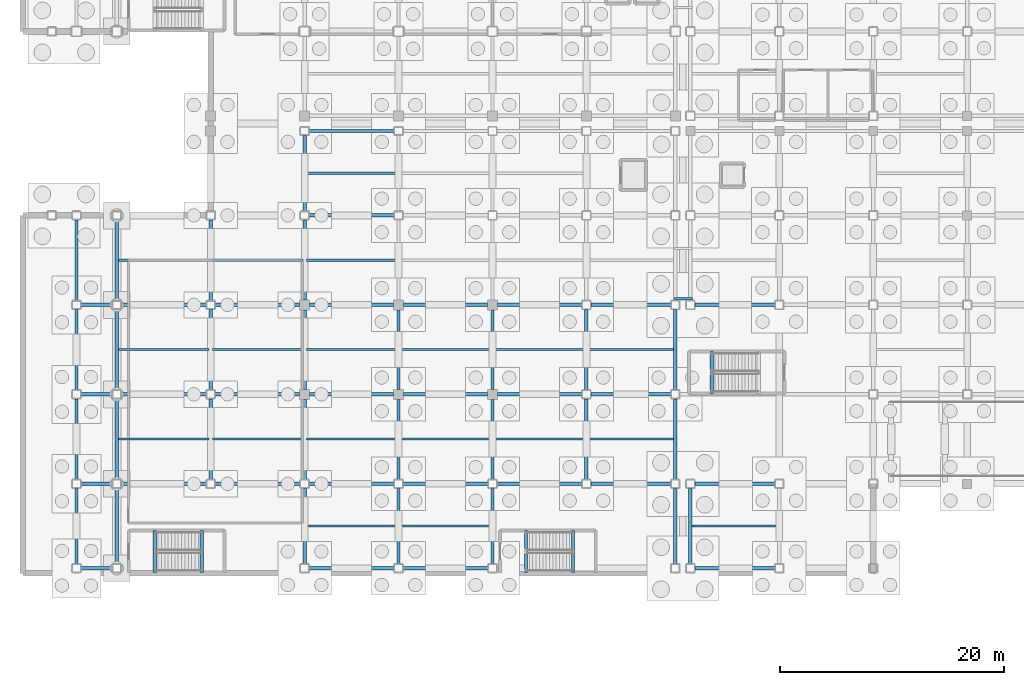
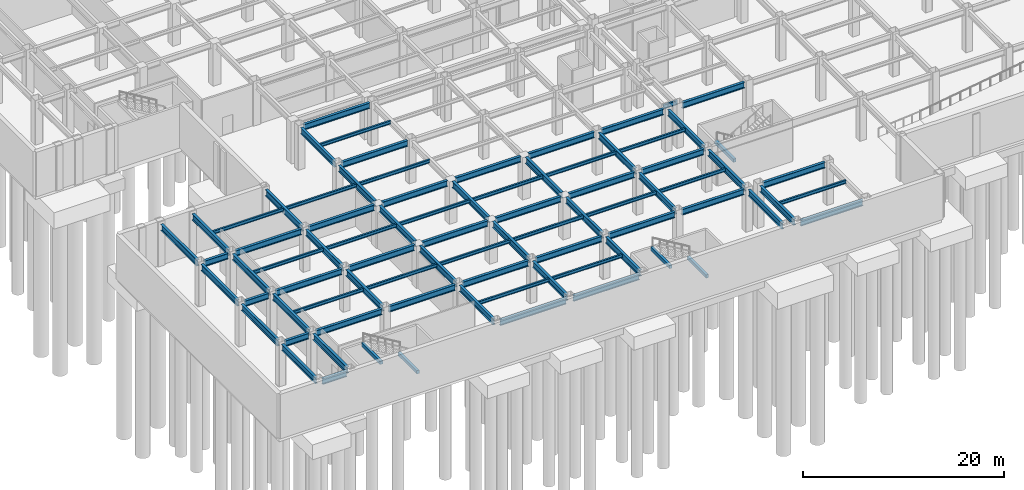
# One storey, part 21 of 55: 82 beams.
"""IFC4 building model written with IfcOpenShell, lengths in metres."""

import ifcopenshell
import ifcopenshell.guid

model = None  # the IFC model being written
_history = None  # IfcOwnerHistory: only IFC2X3 demands one
_inside = {}  # id of a spatial element -> (the spatial element, [elements in it])
_under = {}  # id of a project, library or spatial element -> (it, [spatial elements below it])
_declared = {}  # id of a project -> (the project, [libraries it declares])
_typed = {}  # id of a type object -> (the type object, [elements of that type])
_made_of = {}  # id of a material, layer set ... -> (it, [elements and type objects made of it])


def new_model(schema):
    """Start an empty IFC model of exactly this schema.

    Asked for "IFC4X3", IfcOpenShell would pick the latest addendum, in which some entities
    have other attributes; the version numbers below select the first issue.
    IFC2X3 requires an IfcOwnerHistory on every rooted entity: one is made here for all.
    """
    global model, _history
    if schema == "IFC4X3":
        model = ifcopenshell.file(schema_version=(4, 3, 0, 0))
    else:
        model = ifcopenshell.file(schema=schema)
    _inside.clear()
    _under.clear()
    _declared.clear()
    _typed.clear()
    _made_of.clear()
    _history = None
    if model.schema == "IFC2X3":
        org = make("IfcOrganization", Name="unknown")
        user = make(
            "IfcPersonAndOrganization",
            ThePerson=make("IfcPerson", FamilyName="unknown"),
            TheOrganization=org,
        )
        app = make(
            "IfcApplication",
            ApplicationDeveloper=org,
            Version="unknown",
            ApplicationFullName="unknown",
            ApplicationIdentifier="unknown",
        )
        _history = make(
            "IfcOwnerHistory",
            OwningUser=user,
            OwningApplication=app,
            ChangeAction="ADDED",
            CreationDate=0,
        )
    return model


def make(cls, **values):
    """One entity of the class cls with the attributes given. An attribute that is None is left unset."""
    return model.create_entity(
        cls, **{name: value for name, value in values.items() if value is not None}
    )


def rooted(cls, **values):
    """An entity with a GlobalId (a new one), such as an element, a storey or a relation."""
    return make(cls, GlobalId=ifcopenshell.guid.new(), OwnerHistory=_history, **values)


def si_unit(unit_type, name, prefix=None):
    """IfcSIUnit, for example si_unit("LENGTHUNIT", "METRE", prefix="MILLI")."""
    return make("IfcSIUnit", UnitType=unit_type, Prefix=prefix, Name=name)


def assignment(units):
    """IfcUnitAssignment: the units of a project."""
    return None if units is None else make("IfcUnitAssignment", Units=units)


def point(xyz):
    """IfcCartesianPoint."""
    return None if xyz is None else make("IfcCartesianPoint", Coordinates=xyz)


def direction(xyz):
    """IfcDirection."""
    return None if xyz is None else make("IfcDirection", DirectionRatios=xyz)


def frame(location, z_axis=None, x_axis=None):
    """IfcAxis2Placement3D, a coordinate frame: its origin and axes. An axis left out is left unset."""
    return make(
        "IfcAxis2Placement3D",
        Location=point(location),
        Axis=direction(z_axis),
        RefDirection=direction(x_axis),
    )


def frame_2d(location, x_axis=None):
    """IfcAxis2Placement2D, a coordinate frame in the plane: its origin and x axis."""
    return make(
        "IfcAxis2Placement2D", Location=point(location), RefDirection=direction(x_axis)
    )


def origin():
    """The frame at (0, 0, 0) with its axes left unset."""
    return frame((0.0, 0.0, 0.0))


def origin_2d():
    """The frame at (0, 0) in the plane with its x axis left unset."""
    return frame_2d((0.0, 0.0))


def place(relative_to, where):
    """IfcLocalPlacement: puts the frame where relative to a parent placement (None: the world)."""
    return make(
        "IfcLocalPlacement", PlacementRelTo=relative_to, RelativePlacement=where
    )


def context(
    kind, dimensions, precision=None, world=None, true_north=None, identifier=None
):
    """IfcGeometricRepresentationContext, for example the 3D "Model" context."""
    return make(
        "IfcGeometricRepresentationContext",
        ContextIdentifier=identifier,
        ContextType=kind,
        CoordinateSpaceDimension=dimensions,
        Precision=precision,
        WorldCoordinateSystem=world,
        TrueNorth=true_north,
    )


def subcontext(parent, identifier, kind, view, scale=None):
    """IfcGeometricRepresentationSubContext, for example "Body" below "Model"."""
    return make(
        "IfcGeometricRepresentationSubContext",
        ContextIdentifier=identifier,
        ContextType=kind,
        ParentContext=parent,
        TargetScale=scale,
        TargetView=view,
    )


def project(units=None, contexts=None):
    """IfcProject with its units and contexts."""
    return rooted(
        "IfcProject",
        Name="project",
        RepresentationContexts=contexts,
        UnitsInContext=assignment(units),
    )


def spatial(cls, under=None, at=None, **own):
    """A site, building, storey or space (cls), placed at a placement, below another one or the project."""
    s = rooted(cls, ObjectPlacement=at, **own)
    if under is not None:
        _under.setdefault(under.id(), (under, []))[1].append(s)
    return s


def profile(cls, at=None, kind="AREA", **sizes):
    """A parametric profile (cls). Its sizes go by their IFC names, for example OverallWidth=200.0."""
    return make(cls, ProfileType=kind, Position=at, **sizes)


def rectangle(**sizes):
    """IfcRectangleProfileDef."""
    return profile("IfcRectangleProfileDef", **sizes)


def i_section(**sizes):
    """IfcIShapeProfileDef."""
    return profile("IfcIShapeProfileDef", **sizes)


def extrude(swept, where, along, depth):
    """IfcExtrudedAreaSolid: the profile swept, set in the frame where, extruded along a direction by depth."""
    return make(
        "IfcExtrudedAreaSolid",
        SweptArea=swept,
        Position=where,
        ExtrudedDirection=direction(along),
        Depth=depth,
    )


def shape(context_of_items, identifier, shape_type, items):
    """IfcShapeRepresentation: the items that make up one representation, for example the "Body"."""
    return make(
        "IfcShapeRepresentation",
        ContextOfItems=context_of_items,
        RepresentationIdentifier=identifier,
        RepresentationType=shape_type,
        Items=items,
    )


def material(Name=None, Category=None):
    """IfcMaterial."""
    return make("IfcMaterial", Name=Name, Category=Category)


def material_profile(
    of_material, cross_section, Name=None, Category=None, Priority=None
):
    """IfcMaterialProfile: a cross section and its material."""
    return make(
        "IfcMaterialProfile",
        Name=Name,
        Material=of_material,
        Profile=cross_section,
        Priority=Priority,
        Category=Category,
    )


def profile_set(profiles, Name=None, composite=None):
    """IfcMaterialProfileSet."""
    return make(
        "IfcMaterialProfileSet",
        Name=Name,
        MaterialProfiles=profiles,
        CompositeProfile=composite,
    )


def made_of(thing, what):
    """Note that an element or type object is made of a material, layer set ...; save() writes the relation."""
    if what is not None:
        _made_of.setdefault(what.id(), (what, []))[1].append(thing)
    return thing


def type_object(cls, material=None, **own):
    """A type object (cls), such as IfcWallType, which elements share."""
    return made_of(rooted(cls, **own), material)


def element(
    cls,
    number,
    at=None,
    inside=None,
    cuts=None,
    type_object=None,
    material=None,
    context=None,
    identifier="Body",
    shape_type=None,
    held_by="IfcProductDefinitionShape",
    body=None,
    shapes=None,
    **own,
):
    """One element of the class cls, such as IfcWall. Its Tag is "e" and its number.

    at: its placement. inside: the storey or other place that contains it. cuts: it is an
    opening in that element (IfcRelVoidsElement). A single representation is given by context,
    identifier, shape_type and body (its items); several are given by shapes. held_by: the class
    of the entity that holds the representations. save() writes the other relations.
    """
    e = rooted(cls, Tag="e%d" % number, ObjectPlacement=at, **own)
    if body is not None:
        shapes = [shape(context, identifier, shape_type, body)]
    if shapes is not None:
        e.Representation = make(held_by, Representations=shapes)
    if inside is not None:
        _inside.setdefault(inside.id(), (inside, []))[1].append(e)
    if cuts is not None:
        rooted(
            "IfcRelVoidsElement", RelatingBuildingElement=cuts, RelatedOpeningElement=e
        )
    if type_object is not None:
        _typed.setdefault(type_object.id(), (type_object, []))[1].append(e)
    return made_of(e, material)


def aggregate(whole, parts):
    """IfcRelAggregates: a whole, such as a stair, and the parts it consists of."""
    return rooted("IfcRelAggregates", RelatingObject=whole, RelatedObjects=parts)


def save(model, path):
    """Write the relations noted so far, then the file.

    IfcRelAggregates (storeys below a building ...), IfcRelContainedInSpatialStructure (elements
    in a storey), IfcRelDefinesByType, IfcRelAssociatesMaterial and IfcRelDeclares: one each for
    every whole, place, type object, material and project.
    """
    for whole, parts in _under.values():
        aggregate(whole, parts)
    for where, things in _inside.values():
        rooted(
            "IfcRelContainedInSpatialStructure",
            RelatedElements=things,
            RelatingStructure=where,
        )
    for kind, things in _typed.values():
        rooted("IfcRelDefinesByType", RelatedObjects=things, RelatingType=kind)
    for what, things in _made_of.values():
        rooted("IfcRelAssociatesMaterial", RelatedObjects=things, RelatingMaterial=what)
    for by, libraries in _declared.values():
        rooted("IfcRelDeclares", RelatingContext=by, RelatedDefinitions=libraries)
    model.write(path)


model = new_model("IFC4")

# Units and contexts
model_context = context("Model", 3, precision=1e-05, world=origin(), true_north=direction((0.0, 1.0)))
body_context = subcontext(model_context, "Body", "Model", "MODEL_VIEW")
ifc_project = project(units=[si_unit("LENGTHUNIT", "METRE"), si_unit("AREAUNIT", "SQUARE_METRE"), si_unit("VOLUMEUNIT", "CUBIC_METRE"), si_unit("PLANEANGLEUNIT", "RADIAN"), si_unit("MASSUNIT", "GRAM", prefix="KILO")], contexts=[model_context])

# Site, building, storey
site_placement = place(None, origin())
site = spatial("IfcSite", under=ifc_project, at=site_placement, CompositionType="ELEMENT")
building_placement = place(site_placement, origin())
building = spatial("IfcBuilding", under=site, at=building_placement, Name="Kazehara Bluff Congress Hotel", CompositionType="ELEMENT")
storey_placement = place(building_placement, frame((0.0, 0.0, -5.39990234375)))
storey = spatial("IfcBuildingStorey", under=building, at=storey_placement, Name="B1", CompositionType="ELEMENT", Elevation=-5.39990234375)

# Beams
ifc_material_1 = material(Name="Steel SN490B", Category="steel")
ifc_material_profile_1 = material_profile(ifc_material_1, i_section(OverallWidth=0.199951171875, OverallDepth=0.5, WebThickness=0.010009765625, FlangeThickness=0.01611328125, FilletRadius=0.012939453125, at=origin_2d()))
ifc_profile_set_1 = profile_set([ifc_material_profile_1], Name="Steel SN490B")
beam_type_1 = type_object("IfcBeamType", Name="TP-G-01", PredefinedType="BEAM", material=ifc_profile_set_1)
beam_1_placement = place(storey_placement, frame((58.260009765625, 24.550048828125, 4.869873046875), z_axis=(1.0, 0.0, 0.0), x_axis=(0.0, 1.0, 0.0)))
element("IfcBeam", 1, at=beam_1_placement, inside=storey, type_object=beam_type_1, Name="Bridge link beam BRG-24 L00-1", PredefinedType="BEAM", context=body_context, shape_type="SweptSolid", body=[
    extrude(i_section(OverallWidth=0.199951171875, OverallDepth=0.5, WebThickness=0.010009765625, FlangeThickness=0.01611328125, FilletRadius=0.012939453125, at=origin_2d()), origin(), (0.0, 0.0, 1.0), 1.6298828125),
])
ifc_material_2 = material(Name="Steel SN490B", Category="steel")
ifc_material_profile_2 = material_profile(ifc_material_2, i_section(OverallWidth=0.300048828125, OverallDepth=0.699951171875, WebThickness=0.012939453125, FlangeThickness=0.02392578125, FilletRadius=0.01806640625, at=origin_2d()))
ifc_profile_set_2 = profile_set([ifc_material_profile_2], Name="Steel SN490B")
beam_type_2 = type_object("IfcBeamType", Name="TP-G-04", PredefinedType="BEAM", material=ifc_profile_set_2)
beam_2_placement = place(storey_placement, frame((5.199951171875, 0.449951171875, 4.77001953125), z_axis=(1.0, 0.0, 0.0), x_axis=(0.0, 1.0, 0.0)))
element("IfcBeam", 2, at=beam_2_placement, inside=storey, type_object=beam_type_2, Name="B1 girder G-04 274", PredefinedType="BEAM", context=body_context, shape_type="SweptSolid", body=[
    extrude(i_section(OverallWidth=0.300048828125, OverallDepth=0.699951171875, WebThickness=0.012939453125, FlangeThickness=0.02392578125, FilletRadius=0.01806640625, at=origin_2d()), origin(), (0.0, 0.0, 1.0), 2.800048828125),
])
beam_3_placement = place(storey_placement, frame((25.60009765625, 0.449951171875, 4.77001953125), z_axis=(1.0, 0.0, 0.0), x_axis=(0.0, 1.0, 0.0)))
element("IfcBeam", 3, at=beam_3_placement, inside=storey, type_object=beam_type_2, Name="B1 girder G-04 275", PredefinedType="BEAM", context=body_context, shape_type="SweptSolid", body=[
    extrude(i_section(OverallWidth=0.300048828125, OverallDepth=0.699951171875, WebThickness=0.012939453125, FlangeThickness=0.02392578125, FilletRadius=0.01806640625, at=origin_2d()), origin(), (0.0, 0.0, 1.0), 7.599853515625),
])
beam_4_placement = place(storey_placement, frame((34.0, 0.449951171875, 4.77001953125), z_axis=(1.0, 0.0, 0.0), x_axis=(0.0, 1.0, 0.0)))
element("IfcBeam", 4, at=beam_4_placement, inside=storey, type_object=beam_type_2, Name="B1 girder G-04 276", PredefinedType="BEAM", context=body_context, shape_type="SweptSolid", body=[
    extrude(i_section(OverallWidth=0.300048828125, OverallDepth=0.699951171875, WebThickness=0.012939453125, FlangeThickness=0.02392578125, FilletRadius=0.01806640625, at=origin_2d()), origin(), (0.0, 0.0, 1.0), 7.60009765625),
])
beam_5_placement = place(storey_placement, frame((60.10009765625, 0.449951171875, 4.77001953125), z_axis=(1.0, 0.0, 0.0), x_axis=(0.0, 1.0, 0.0)))
element("IfcBeam", 5, at=beam_5_placement, inside=storey, type_object=beam_type_2, Name="B1 girder G-04 277", PredefinedType="BEAM", context=body_context, shape_type="SweptSolid", body=[
    extrude(i_section(OverallWidth=0.300048828125, OverallDepth=0.699951171875, WebThickness=0.012939453125, FlangeThickness=0.02392578125, FilletRadius=0.01806640625, at=origin_2d()), origin(), (0.0, 0.0, 1.0), 7.14990234375),
])
beam_6_placement = place(storey_placement, frame((5.199951171875, 8.0, 4.77001953125), z_axis=(1.0, 0.0, 0.0), x_axis=(0.0, 1.0, 0.0)))
element("IfcBeam", 6, at=beam_6_placement, inside=storey, type_object=beam_type_2, Name="B1 girder G-04 280", PredefinedType="BEAM", context=body_context, shape_type="SweptSolid", body=[
    extrude(i_section(OverallWidth=0.300048828125, OverallDepth=0.699951171875, WebThickness=0.012939453125, FlangeThickness=0.02392578125, FilletRadius=0.01806640625, at=origin_2d()), origin(), (0.0, 0.0, 1.0), 2.800048828125),
])
beam_7_placement = place(storey_placement, frame((8.800048828125, 8.0, 4.77001953125), z_axis=(1.0, 0.0, 0.0), x_axis=(0.0, 1.0, 0.0)))
element("IfcBeam", 7, at=beam_7_placement, inside=storey, type_object=beam_type_2, Name="B1 girder G-04 281", PredefinedType="BEAM", context=body_context, shape_type="SweptSolid", body=[
    extrude(i_section(OverallWidth=0.300048828125, OverallDepth=0.699951171875, WebThickness=0.012939453125, FlangeThickness=0.02392578125, FilletRadius=0.01806640625, at=origin_2d()), origin(), (0.0, 0.0, 1.0), 7.599853515625),
])
beam_8_placement = place(storey_placement, frame((17.199951171875, 8.0, 4.77001953125), z_axis=(1.0, 0.0, 0.0), x_axis=(0.0, 1.0, 0.0)))
element("IfcBeam", 8, at=beam_8_placement, inside=storey, type_object=beam_type_2, Name="B1 girder G-04 282", PredefinedType="BEAM", context=body_context, shape_type="SweptSolid", body=[
    extrude(i_section(OverallWidth=0.300048828125, OverallDepth=0.699951171875, WebThickness=0.012939453125, FlangeThickness=0.02392578125, FilletRadius=0.01806640625, at=origin_2d()), origin(), (0.0, 0.0, 1.0), 7.60009765625),
])
beam_9_placement = place(storey_placement, frame((25.60009765625, 8.0, 4.77001953125), z_axis=(1.0, 0.0, 0.0), x_axis=(0.0, 1.0, 0.0)))
element("IfcBeam", 9, at=beam_9_placement, inside=storey, type_object=beam_type_2, Name="B1 girder G-04 283", PredefinedType="BEAM", context=body_context, shape_type="SweptSolid", body=[
    extrude(i_section(OverallWidth=0.300048828125, OverallDepth=0.699951171875, WebThickness=0.012939453125, FlangeThickness=0.02392578125, FilletRadius=0.01806640625, at=origin_2d()), origin(), (0.0, 0.0, 1.0), 7.599853515625),
])
for number, where, z_axis, x_axis, name in (
    (10, (34.0, 8.0, 4.77001953125), (1.0, 0.0, 0.0), (0.0, 1.0, 0.0), "B1 girder G-04 284"),
    (11, (42.39990234375, 8.0, 4.77001953125), (1.0, 0.0, 0.0), (0.0, 1.0, 0.0), "B1 girder G-04 285"),
):
    element("IfcBeam", number, at=place(storey_placement, frame(where, z_axis=z_axis, x_axis=x_axis)), inside=storey, type_object=beam_type_2, Name=name, PredefinedType="BEAM", context=body_context, shape_type="SweptSolid", body=[
        extrude(i_section(OverallWidth=0.300048828125, OverallDepth=0.699951171875, WebThickness=0.012939453125, FlangeThickness=0.02392578125, FilletRadius=0.01806640625, at=origin_2d()), origin(), (0.0, 0.0, 1.0), 7.60009765625),
    ])
for number, where, z_axis, x_axis, name in (
    (12, (50.800048828125, 8.0, 4.77001953125), (1.0, 0.0, 0.0), (0.0, 1.0, 0.0), "B1 girder G-04 286"),
    (13, (60.10009765625, 8.0, 4.77001953125), (1.0, 0.0, 0.0), (0.0, 1.0, 0.0), "B1 girder G-04 287"),
):
    element("IfcBeam", number, at=place(storey_placement, frame(where, z_axis=z_axis, x_axis=x_axis)), inside=storey, type_object=beam_type_2, Name=name, PredefinedType="BEAM", context=body_context, shape_type="SweptSolid", body=[
        extrude(i_section(OverallWidth=0.300048828125, OverallDepth=0.699951171875, WebThickness=0.012939453125, FlangeThickness=0.02392578125, FilletRadius=0.01806640625, at=origin_2d()), origin(), (0.0, 0.0, 1.0), 7.14990234375),
    ])
beam_10_placement = place(storey_placement, frame((5.199951171875, 16.0, 4.77001953125), z_axis=(1.0, 0.0, 0.0), x_axis=(0.0, 1.0, 0.0)))
element("IfcBeam", 14, at=beam_10_placement, inside=storey, type_object=beam_type_2, Name="B1 girder G-04 290", PredefinedType="BEAM", context=body_context, shape_type="SweptSolid", body=[
    extrude(i_section(OverallWidth=0.300048828125, OverallDepth=0.699951171875, WebThickness=0.012939453125, FlangeThickness=0.02392578125, FilletRadius=0.01806640625, at=origin_2d()), origin(), (0.0, 0.0, 1.0), 2.800048828125),
])
beam_11_placement = place(storey_placement, frame((8.800048828125, 16.0, 4.77001953125), z_axis=(1.0, 0.0, 0.0), x_axis=(0.0, 1.0, 0.0)))
element("IfcBeam", 15, at=beam_11_placement, inside=storey, type_object=beam_type_2, Name="B1 girder G-04 291", PredefinedType="BEAM", context=body_context, shape_type="SweptSolid", body=[
    extrude(i_section(OverallWidth=0.300048828125, OverallDepth=0.699951171875, WebThickness=0.012939453125, FlangeThickness=0.02392578125, FilletRadius=0.01806640625, at=origin_2d()), origin(), (0.0, 0.0, 1.0), 7.599853515625),
])
beam_12_placement = place(storey_placement, frame((17.199951171875, 16.0, 4.77001953125), z_axis=(1.0, 0.0, 0.0), x_axis=(0.0, 1.0, 0.0)))
element("IfcBeam", 16, at=beam_12_placement, inside=storey, type_object=beam_type_2, Name="B1 girder G-04 292", PredefinedType="BEAM", context=body_context, shape_type="SweptSolid", body=[
    extrude(i_section(OverallWidth=0.300048828125, OverallDepth=0.699951171875, WebThickness=0.012939453125, FlangeThickness=0.02392578125, FilletRadius=0.01806640625, at=origin_2d()), origin(), (0.0, 0.0, 1.0), 7.550048828125),
])
for number, where, z_axis, x_axis, name in (
    (17, (25.64990234375, 16.0, 4.77001953125), (1.0, 0.0, 0.0), (0.0, 1.0, 0.0), "B1 girder G-04 293"),
    (18, (34.050048828125, 16.0, 4.77001953125), (1.0, 0.0, 0.0), (0.0, 1.0, 0.0), "B1 girder G-04 294"),
):
    element("IfcBeam", number, at=place(storey_placement, frame(where, z_axis=z_axis, x_axis=x_axis)), inside=storey, type_object=beam_type_2, Name=name, PredefinedType="BEAM", context=body_context, shape_type="SweptSolid", body=[
        extrude(i_section(OverallWidth=0.300048828125, OverallDepth=0.699951171875, WebThickness=0.012939453125, FlangeThickness=0.02392578125, FilletRadius=0.01806640625, at=origin_2d()), origin(), (0.0, 0.0, 1.0), 7.5),
    ])
beam_13_placement = place(storey_placement, frame((42.449951171875, 16.0, 4.77001953125), z_axis=(1.0, 0.0, 0.0), x_axis=(0.0, 1.0, 0.0)))
element("IfcBeam", 19, at=beam_13_placement, inside=storey, type_object=beam_type_2, Name="B1 girder G-04 295", PredefinedType="BEAM", context=body_context, shape_type="SweptSolid", body=[
    extrude(i_section(OverallWidth=0.300048828125, OverallDepth=0.699951171875, WebThickness=0.012939453125, FlangeThickness=0.02392578125, FilletRadius=0.01806640625, at=origin_2d()), origin(), (0.0, 0.0, 1.0), 7.550048828125),
])
beam_14_placement = place(storey_placement, frame((50.800048828125, 16.0, 4.77001953125), z_axis=(1.0, 0.0, 0.0), x_axis=(0.0, 1.0, 0.0)))
element("IfcBeam", 20, at=beam_14_placement, inside=storey, type_object=beam_type_2, Name="B1 girder G-04 296", PredefinedType="BEAM", context=body_context, shape_type="SweptSolid", body=[
    extrude(i_section(OverallWidth=0.300048828125, OverallDepth=0.699951171875, WebThickness=0.012939453125, FlangeThickness=0.02392578125, FilletRadius=0.01806640625, at=origin_2d()), origin(), (0.0, 0.0, 1.0), 7.14990234375),
])
beam_15_placement = place(storey_placement, frame((5.199951171875, 24.0, 4.77001953125), z_axis=(1.0, 0.0, 0.0), x_axis=(0.0, 1.0, 0.0)))
element("IfcBeam", 21, at=beam_15_placement, inside=storey, type_object=beam_type_2, Name="B1 girder G-04 309", PredefinedType="BEAM", context=body_context, shape_type="SweptSolid", body=[
    extrude(i_section(OverallWidth=0.300048828125, OverallDepth=0.699951171875, WebThickness=0.012939453125, FlangeThickness=0.02392578125, FilletRadius=0.01806640625, at=origin_2d()), origin(), (0.0, 0.0, 1.0), 2.800048828125),
])
beam_16_placement = place(storey_placement, frame((8.800048828125, 24.0, 4.77001953125), z_axis=(1.0, 0.0, 0.0), x_axis=(0.0, 1.0, 0.0)))
element("IfcBeam", 22, at=beam_16_placement, inside=storey, type_object=beam_type_2, Name="B1 girder G-04 310", PredefinedType="BEAM", context=body_context, shape_type="SweptSolid", body=[
    extrude(i_section(OverallWidth=0.300048828125, OverallDepth=0.699951171875, WebThickness=0.012939453125, FlangeThickness=0.02392578125, FilletRadius=0.01806640625, at=origin_2d()), origin(), (0.0, 0.0, 1.0), 7.599853515625),
])
beam_17_placement = place(storey_placement, frame((17.199951171875, 24.0, 4.77001953125), z_axis=(1.0, 0.0, 0.0), x_axis=(0.0, 1.0, 0.0)))
element("IfcBeam", 23, at=beam_17_placement, inside=storey, type_object=beam_type_2, Name="B1 girder G-04 311", PredefinedType="BEAM", context=body_context, shape_type="SweptSolid", body=[
    extrude(i_section(OverallWidth=0.300048828125, OverallDepth=0.699951171875, WebThickness=0.012939453125, FlangeThickness=0.02392578125, FilletRadius=0.01806640625, at=origin_2d()), origin(), (0.0, 0.0, 1.0), 7.550048828125),
])
for number, where, z_axis, x_axis, name in (
    (24, (25.64990234375, 24.0, 4.77001953125), (1.0, 0.0, 0.0), (0.0, 1.0, 0.0), "B1 girder G-04 312"),
    (25, (34.050048828125, 24.0, 4.77001953125), (1.0, 0.0, 0.0), (0.0, 1.0, 0.0), "B1 girder G-04 313"),
):
    element("IfcBeam", number, at=place(storey_placement, frame(where, z_axis=z_axis, x_axis=x_axis)), inside=storey, type_object=beam_type_2, Name=name, PredefinedType="BEAM", context=body_context, shape_type="SweptSolid", body=[
        extrude(i_section(OverallWidth=0.300048828125, OverallDepth=0.699951171875, WebThickness=0.012939453125, FlangeThickness=0.02392578125, FilletRadius=0.01806640625, at=origin_2d()), origin(), (0.0, 0.0, 1.0), 7.5),
    ])
beam_18_placement = place(storey_placement, frame((42.449951171875, 24.0, 4.77001953125), z_axis=(1.0, 0.0, 0.0), x_axis=(0.0, 1.0, 0.0)))
element("IfcBeam", 26, at=beam_18_placement, inside=storey, type_object=beam_type_2, Name="B1 girder G-04 314", PredefinedType="BEAM", context=body_context, shape_type="SweptSolid", body=[
    extrude(i_section(OverallWidth=0.300048828125, OverallDepth=0.699951171875, WebThickness=0.012939453125, FlangeThickness=0.02392578125, FilletRadius=0.01806640625, at=origin_2d()), origin(), (0.0, 0.0, 1.0), 7.550048828125),
])
for number, where, z_axis, x_axis, name in (
    (27, (50.800048828125, 24.0, 4.77001953125), (1.0, 0.0, 0.0), (0.0, 1.0, 0.0), "B1 girder G-04 315"),
    (28, (60.10009765625, 24.0, 4.77001953125), (1.0, 0.0, 0.0), (0.0, 1.0, 0.0), "B1 girder G-04 316"),
):
    element("IfcBeam", number, at=place(storey_placement, frame(where, z_axis=z_axis, x_axis=x_axis)), inside=storey, type_object=beam_type_2, Name=name, PredefinedType="BEAM", context=body_context, shape_type="SweptSolid", body=[
        extrude(i_section(OverallWidth=0.300048828125, OverallDepth=0.699951171875, WebThickness=0.012939453125, FlangeThickness=0.02392578125, FilletRadius=0.01806640625, at=origin_2d()), origin(), (0.0, 0.0, 1.0), 7.14990234375),
    ])
for number, where, z_axis, x_axis, name in (
    (29, (25.60009765625, 32.0, 4.77001953125), (1.0, 0.0, 0.0), (0.0, 1.0, 0.0), "B1 girder G-04 329"),
    (30, (25.60009765625, 39.550048828125, 4.77001953125), (1.0, 0.0, 0.0), (0.0, 1.0, 0.0), "B1 girder G-04 346"),
):
    element("IfcBeam", number, at=place(storey_placement, frame(where, z_axis=z_axis, x_axis=x_axis)), inside=storey, type_object=beam_type_2, Name=name, PredefinedType="BEAM", context=body_context, shape_type="SweptSolid", body=[
        extrude(i_section(OverallWidth=0.300048828125, OverallDepth=0.699951171875, WebThickness=0.012939453125, FlangeThickness=0.02392578125, FilletRadius=0.01806640625, at=origin_2d()), origin(), (0.0, 0.0, 1.0), 7.599853515625),
    ])
ifc_material_3 = material(Name="Steel SN490B", Category="steel")
ifc_material_profile_3 = material_profile(ifc_material_3, i_section(OverallWidth=0.300048828125, OverallDepth=0.75, WebThickness=0.012939453125, FlangeThickness=0.02392578125, FilletRadius=0.01806640625, at=origin_2d()))
ifc_profile_set_3 = profile_set([ifc_material_profile_3], Name="Steel SN490B")
beam_type_3 = type_object("IfcBeamType", Name="TP-G-05", PredefinedType="BEAM", material=ifc_profile_set_3)
beam_19_placement = place(storey_placement, frame((4.800048828125, 0.85009765625, 4.744873046875), z_axis=(0.0, 1.0, 0.0), x_axis=(-1.0, 0.0, 0.0)))
element("IfcBeam", 31, at=beam_19_placement, inside=storey, type_object=beam_type_3, Name="B1 girder G-05 1", PredefinedType="BEAM", context=body_context, shape_type="SweptSolid", body=[
    extrude(i_section(OverallWidth=0.300048828125, OverallDepth=0.75, WebThickness=0.012939453125, FlangeThickness=0.02392578125, FilletRadius=0.01806640625, at=origin_2d()), origin(), (0.0, 0.0, 1.0), 6.75),
])
for number, where, z_axis, x_axis, name in (
    (32, (4.800048828125, 8.39990234375, 4.744873046875), (0.0, 1.0, 0.0), (-1.0, 0.0, 0.0), "B1 girder G-05 2"),
    (33, (4.800048828125, 16.39990234375, 4.744873046875), (0.0, 1.0, 0.0), (-1.0, 0.0, 0.0), "B1 girder G-05 3"),
    (34, (4.800048828125, 24.39990234375, 4.744873046875), (0.0, 1.0, 0.0), (-1.0, 0.0, 0.0), "B1 girder G-05 4"),
):
    element("IfcBeam", number, at=place(storey_placement, frame(where, z_axis=z_axis, x_axis=x_axis)), inside=storey, type_object=beam_type_3, Name=name, PredefinedType="BEAM", context=body_context, shape_type="SweptSolid", body=[
        extrude(i_section(OverallWidth=0.300048828125, OverallDepth=0.75, WebThickness=0.012939453125, FlangeThickness=0.02392578125, FilletRadius=0.01806640625, at=origin_2d()), origin(), (0.0, 0.0, 1.0), 7.2001953125),
    ])
beam_20_placement = place(storey_placement, frame((8.39990234375, 0.85009765625, 4.744873046875), z_axis=(0.0, 1.0, 0.0), x_axis=(-1.0, 0.0, 0.0)))
element("IfcBeam", 35, at=beam_20_placement, inside=storey, type_object=beam_type_3, Name="B1 girder G-05 14", PredefinedType="BEAM", context=body_context, shape_type="SweptSolid", body=[
    extrude(i_section(OverallWidth=0.300048828125, OverallDepth=0.75, WebThickness=0.012939453125, FlangeThickness=0.02392578125, FilletRadius=0.01806640625, at=origin_2d()), origin(), (0.0, 0.0, 1.0), 6.75),
])
for number, where, z_axis, x_axis, name in (
    (36, (8.39990234375, 8.39990234375, 4.744873046875), (0.0, 1.0, 0.0), (-1.0, 0.0, 0.0), "B1 girder G-05 15"),
    (37, (8.39990234375, 16.39990234375, 4.744873046875), (0.0, 1.0, 0.0), (-1.0, 0.0, 0.0), "B1 girder G-05 16"),
    (38, (8.39990234375, 24.39990234375, 4.744873046875), (0.0, 1.0, 0.0), (-1.0, 0.0, 0.0), "B1 girder G-05 17"),
    (39, (16.800048828125, 8.39990234375, 4.744873046875), (0.0, 1.0, 0.0), (-1.0, 0.0, 0.0), "B1 girder G-05 27"),
    (40, (16.800048828125, 16.39990234375, 4.744873046875), (0.0, 1.0, 0.0), (-1.0, 0.0, 0.0), "B1 girder G-05 28"),
    (41, (16.800048828125, 24.39990234375, 4.744873046875), (0.0, 1.0, 0.0), (-1.0, 0.0, 0.0), "B1 girder G-05 29"),
):
    element("IfcBeam", number, at=place(storey_placement, frame(where, z_axis=z_axis, x_axis=x_axis)), inside=storey, type_object=beam_type_3, Name=name, PredefinedType="BEAM", context=body_context, shape_type="SweptSolid", body=[
        extrude(i_section(OverallWidth=0.300048828125, OverallDepth=0.75, WebThickness=0.012939453125, FlangeThickness=0.02392578125, FilletRadius=0.01806640625, at=origin_2d()), origin(), (0.0, 0.0, 1.0), 7.2001953125),
    ])
beam_21_placement = place(storey_placement, frame((25.199951171875, 0.85009765625, 4.744873046875), z_axis=(0.0, 1.0, 0.0), x_axis=(-1.0, 0.0, 0.0)))
element("IfcBeam", 42, at=beam_21_placement, inside=storey, type_object=beam_type_3, Name="B1 girder G-05 35", PredefinedType="BEAM", context=body_context, shape_type="SweptSolid", body=[
    extrude(i_section(OverallWidth=0.300048828125, OverallDepth=0.75, WebThickness=0.012939453125, FlangeThickness=0.02392578125, FilletRadius=0.01806640625, at=origin_2d()), origin(), (0.0, 0.0, 1.0), 6.75),
])
beam_22_placement = place(storey_placement, frame((25.199951171875, 8.39990234375, 4.744873046875), z_axis=(0.0, 1.0, 0.0), x_axis=(-1.0, 0.0, 0.0)))
element("IfcBeam", 43, at=beam_22_placement, inside=storey, type_object=beam_type_3, Name="B1 girder G-05 36", PredefinedType="BEAM", context=body_context, shape_type="SweptSolid", body=[
    extrude(i_section(OverallWidth=0.300048828125, OverallDepth=0.75, WebThickness=0.012939453125, FlangeThickness=0.02392578125, FilletRadius=0.01806640625, at=origin_2d()), origin(), (0.0, 0.0, 1.0), 7.150146484375),
])
beam_23_placement = place(storey_placement, frame((25.199951171875, 16.449951171875, 4.744873046875), z_axis=(0.0, 1.0, 0.0), x_axis=(-1.0, 0.0, 0.0)))
element("IfcBeam", 44, at=beam_23_placement, inside=storey, type_object=beam_type_3, Name="B1 girder G-05 37", PredefinedType="BEAM", context=body_context, shape_type="SweptSolid", body=[
    extrude(i_section(OverallWidth=0.300048828125, OverallDepth=0.75, WebThickness=0.012939453125, FlangeThickness=0.02392578125, FilletRadius=0.01806640625, at=origin_2d()), origin(), (0.0, 0.0, 1.0), 7.10009765625),
])
beam_24_placement = place(storey_placement, frame((25.199951171875, 24.449951171875, 4.744873046875), z_axis=(0.0, 1.0, 0.0), x_axis=(-1.0, 0.0, 0.0)))
element("IfcBeam", 45, at=beam_24_placement, inside=storey, type_object=beam_type_3, Name="B1 girder G-05 38", PredefinedType="BEAM", context=body_context, shape_type="SweptSolid", body=[
    extrude(i_section(OverallWidth=0.300048828125, OverallDepth=0.75, WebThickness=0.012939453125, FlangeThickness=0.02392578125, FilletRadius=0.01806640625, at=origin_2d()), origin(), (0.0, 0.0, 1.0), 7.150146484375),
])
for number, where, z_axis, x_axis, name in (
    (46, (25.199951171875, 32.39990234375, 4.744873046875), (0.0, 1.0, 0.0), (-1.0, 0.0, 0.0), "B1 girder G-05 39"),
    (47, (33.60009765625, 0.85009765625, 4.744873046875), (0.0, 1.0, 0.0), (-1.0, 0.0, 0.0), "B1 girder G-05 49"),
):
    element("IfcBeam", number, at=place(storey_placement, frame(where, z_axis=z_axis, x_axis=x_axis)), inside=storey, type_object=beam_type_3, Name=name, PredefinedType="BEAM", context=body_context, shape_type="SweptSolid", body=[
        extrude(i_section(OverallWidth=0.300048828125, OverallDepth=0.75, WebThickness=0.012939453125, FlangeThickness=0.02392578125, FilletRadius=0.01806640625, at=origin_2d()), origin(), (0.0, 0.0, 1.0), 6.75),
    ])
beam_25_placement = place(storey_placement, frame((33.60009765625, 8.39990234375, 4.744873046875), z_axis=(0.0, 1.0, 0.0), x_axis=(-1.0, 0.0, 0.0)))
element("IfcBeam", 48, at=beam_25_placement, inside=storey, type_object=beam_type_3, Name="B1 girder G-05 50", PredefinedType="BEAM", context=body_context, shape_type="SweptSolid", body=[
    extrude(i_section(OverallWidth=0.300048828125, OverallDepth=0.75, WebThickness=0.012939453125, FlangeThickness=0.02392578125, FilletRadius=0.01806640625, at=origin_2d()), origin(), (0.0, 0.0, 1.0), 7.150146484375),
])
beam_26_placement = place(storey_placement, frame((33.60009765625, 16.449951171875, 4.744873046875), z_axis=(0.0, 1.0, 0.0), x_axis=(-1.0, 0.0, 0.0)))
element("IfcBeam", 49, at=beam_26_placement, inside=storey, type_object=beam_type_3, Name="B1 girder G-05 51", PredefinedType="BEAM", context=body_context, shape_type="SweptSolid", body=[
    extrude(i_section(OverallWidth=0.300048828125, OverallDepth=0.75, WebThickness=0.012939453125, FlangeThickness=0.02392578125, FilletRadius=0.01806640625, at=origin_2d()), origin(), (0.0, 0.0, 1.0), 7.10009765625),
])
beam_27_placement = place(storey_placement, frame((42.0, 0.85009765625, 4.744873046875), z_axis=(0.0, 1.0, 0.0), x_axis=(-1.0, 0.0, 0.0)))
element("IfcBeam", 50, at=beam_27_placement, inside=storey, type_object=beam_type_3, Name="B1 girder G-05 63", PredefinedType="BEAM", context=body_context, shape_type="SweptSolid", body=[
    extrude(i_section(OverallWidth=0.300048828125, OverallDepth=0.75, WebThickness=0.012939453125, FlangeThickness=0.02392578125, FilletRadius=0.01806640625, at=origin_2d()), origin(), (0.0, 0.0, 1.0), 6.75),
])
beam_28_placement = place(storey_placement, frame((42.0, 8.39990234375, 4.744873046875), z_axis=(0.0, 1.0, 0.0), x_axis=(-1.0, 0.0, 0.0)))
element("IfcBeam", 51, at=beam_28_placement, inside=storey, type_object=beam_type_3, Name="B1 girder G-05 64", PredefinedType="BEAM", context=body_context, shape_type="SweptSolid", body=[
    extrude(i_section(OverallWidth=0.300048828125, OverallDepth=0.75, WebThickness=0.012939453125, FlangeThickness=0.02392578125, FilletRadius=0.01806640625, at=origin_2d()), origin(), (0.0, 0.0, 1.0), 7.150146484375),
])
beam_29_placement = place(storey_placement, frame((42.0, 16.449951171875, 4.744873046875), z_axis=(0.0, 1.0, 0.0), x_axis=(-1.0, 0.0, 0.0)))
element("IfcBeam", 52, at=beam_29_placement, inside=storey, type_object=beam_type_3, Name="B1 girder G-05 65", PredefinedType="BEAM", context=body_context, shape_type="SweptSolid", body=[
    extrude(i_section(OverallWidth=0.300048828125, OverallDepth=0.75, WebThickness=0.012939453125, FlangeThickness=0.02392578125, FilletRadius=0.01806640625, at=origin_2d()), origin(), (0.0, 0.0, 1.0), 7.10009765625),
])
for number, where, z_axis, x_axis, name in (
    (53, (50.39990234375, 8.39990234375, 4.744873046875), (0.0, 1.0, 0.0), (-1.0, 0.0, 0.0), "B1 girder G-05 77"),
    (54, (50.39990234375, 16.39990234375, 4.744873046875), (0.0, 1.0, 0.0), (-1.0, 0.0, 0.0), "B1 girder G-05 78"),
):
    element("IfcBeam", number, at=place(storey_placement, frame(where, z_axis=z_axis, x_axis=x_axis)), inside=storey, type_object=beam_type_3, Name=name, PredefinedType="BEAM", context=body_context, shape_type="SweptSolid", body=[
        extrude(i_section(OverallWidth=0.300048828125, OverallDepth=0.75, WebThickness=0.012939453125, FlangeThickness=0.02392578125, FilletRadius=0.01806640625, at=origin_2d()), origin(), (0.0, 0.0, 1.0), 7.2001953125),
    ])
beam_30_placement = place(storey_placement, frame((58.35009765625, 0.85009765625, 4.744873046875), z_axis=(0.0, 1.0, 0.0), x_axis=(-1.0, 0.0, 0.0)))
element("IfcBeam", 55, at=beam_30_placement, inside=storey, type_object=beam_type_3, Name="B1 girder G-05 88", PredefinedType="BEAM", context=body_context, shape_type="SweptSolid", body=[
    extrude(i_section(OverallWidth=0.300048828125, OverallDepth=0.75, WebThickness=0.012939453125, FlangeThickness=0.02392578125, FilletRadius=0.01806640625, at=origin_2d()), origin(), (0.0, 0.0, 1.0), 6.75),
])
for number, where, z_axis, x_axis, name in (
    (56, (58.35009765625, 8.39990234375, 4.744873046875), (0.0, 1.0, 0.0), (-1.0, 0.0, 0.0), "B1 girder G-05 89"),
    (57, (58.35009765625, 16.39990234375, 4.744873046875), (0.0, 1.0, 0.0), (-1.0, 0.0, 0.0), "B1 girder G-05 90"),
):
    element("IfcBeam", number, at=place(storey_placement, frame(where, z_axis=z_axis, x_axis=x_axis)), inside=storey, type_object=beam_type_3, Name=name, PredefinedType="BEAM", context=body_context, shape_type="SweptSolid", body=[
        extrude(i_section(OverallWidth=0.300048828125, OverallDepth=0.75, WebThickness=0.012939453125, FlangeThickness=0.02392578125, FilletRadius=0.01806640625, at=origin_2d()), origin(), (0.0, 0.0, 1.0), 7.2001953125),
    ])
beam_31_placement = place(storey_placement, frame((59.699951171875, 0.85009765625, 4.744873046875), z_axis=(0.0, 1.0, 0.0), x_axis=(-1.0, 0.0, 0.0)))
element("IfcBeam", 58, at=beam_31_placement, inside=storey, type_object=beam_type_3, Name="B1 girder G-05 103", PredefinedType="BEAM", context=body_context, shape_type="SweptSolid", body=[
    extrude(i_section(OverallWidth=0.300048828125, OverallDepth=0.75, WebThickness=0.012939453125, FlangeThickness=0.02392578125, FilletRadius=0.01806640625, at=origin_2d()), origin(), (0.0, 0.0, 1.0), 6.75),
])
ifc_material_4 = material(Name="Steel SN400B", Category="steel")
ifc_material_profile_4 = material_profile(ifc_material_4, i_section(OverallWidth=0.199951171875, OverallDepth=0.39990234375, WebThickness=0.008056640625, FlangeThickness=0.012939453125, FilletRadius=0.012939453125, at=origin_2d()))
ifc_profile_set_4 = profile_set([ifc_material_profile_4], Name="Steel SN400B")
beam_type_4 = type_object("IfcBeamType", Name="TP-J-03", PredefinedType="JOIST", material=ifc_profile_set_4)
for number, where, z_axis, x_axis, name in (
    (59, (8.550048828125, 12.0, 4.919921875), (1.0, 0.0, 0.0), (0.0, 1.0, 0.0), "B1 secondary joist J-03 1"),
    (60, (8.550048828125, 20.0, 4.919921875), (1.0, 0.0, 0.0), (0.0, 1.0, 0.0), "B1 secondary joist J-03 2"),
    (61, (8.550048828125, 28.0, 4.919921875), (1.0, 0.0, 0.0), (0.0, 1.0, 0.0), "B1 secondary joist J-03 3"),
):
    element("IfcBeam", number, at=place(storey_placement, frame(where, z_axis=z_axis, x_axis=x_axis)), inside=storey, type_object=beam_type_4, Name=name, PredefinedType="JOIST", context=body_context, shape_type="SweptSolid", body=[
        extrude(i_section(OverallWidth=0.199951171875, OverallDepth=0.39990234375, WebThickness=0.008056640625, FlangeThickness=0.012939453125, FilletRadius=0.012939453125, at=origin_2d()), origin(), (0.0, 0.0, 1.0), 8.099853515625),
    ])
for number, where, z_axis, x_axis, name in (
    (62, (16.949951171875, 12.0, 4.919921875), (1.0, 0.0, 0.0), (0.0, 1.0, 0.0), "B1 secondary joist J-03 8"),
    (63, (16.949951171875, 20.0, 4.919921875), (1.0, 0.0, 0.0), (0.0, 1.0, 0.0), "B1 secondary joist J-03 9"),
    (64, (16.949951171875, 28.0, 4.919921875), (1.0, 0.0, 0.0), (0.0, 1.0, 0.0), "B1 secondary joist J-03 10"),
):
    element("IfcBeam", number, at=place(storey_placement, frame(where, z_axis=z_axis, x_axis=x_axis)), inside=storey, type_object=beam_type_4, Name=name, PredefinedType="JOIST", context=body_context, shape_type="SweptSolid", body=[
        extrude(i_section(OverallWidth=0.199951171875, OverallDepth=0.39990234375, WebThickness=0.008056640625, FlangeThickness=0.012939453125, FilletRadius=0.012939453125, at=origin_2d()), origin(), (0.0, 0.0, 1.0), 8.10009765625),
    ])
for number, where, z_axis, x_axis, name in (
    (65, (25.35009765625, 4.22509765625, 4.919921875), (1.0, 0.0, 0.0), (0.0, 1.0, 0.0), "B1 secondary joist J-03 15"),
    (66, (25.35009765625, 12.0, 4.919921875), (1.0, 0.0, 0.0), (0.0, 1.0, 0.0), "B1 secondary joist J-03 16"),
    (67, (25.35009765625, 20.0, 4.919921875), (1.0, 0.0, 0.0), (0.0, 1.0, 0.0), "B1 secondary joist J-03 17"),
    (68, (25.35009765625, 28.0, 4.919921875), (1.0, 0.0, 0.0), (0.0, 1.0, 0.0), "B1 secondary joist J-03 18"),
    (69, (25.35009765625, 35.77490234375, 4.919921875), (1.0, 0.0, 0.0), (0.0, 1.0, 0.0), "B1 secondary joist J-03 19"),
):
    element("IfcBeam", number, at=place(storey_placement, frame(where, z_axis=z_axis, x_axis=x_axis)), inside=storey, type_object=beam_type_4, Name=name, PredefinedType="JOIST", context=body_context, shape_type="SweptSolid", body=[
        extrude(i_section(OverallWidth=0.199951171875, OverallDepth=0.39990234375, WebThickness=0.008056640625, FlangeThickness=0.012939453125, FilletRadius=0.012939453125, at=origin_2d()), origin(), (0.0, 0.0, 1.0), 8.099853515625),
    ])
for number, where, z_axis, x_axis, name in (
    (70, (33.75, 4.22509765625, 4.919921875), (1.0, 0.0, 0.0), (0.0, 1.0, 0.0), "B1 secondary joist J-03 28"),
    (71, (33.75, 12.0, 4.919921875), (1.0, 0.0, 0.0), (0.0, 1.0, 0.0), "B1 secondary joist J-03 29"),
    (72, (33.75, 20.0, 4.919921875), (1.0, 0.0, 0.0), (0.0, 1.0, 0.0), "B1 secondary joist J-03 30"),
    (73, (42.14990234375, 12.0, 4.919921875), (1.0, 0.0, 0.0), (0.0, 1.0, 0.0), "B1 secondary joist J-03 41"),
    (74, (42.14990234375, 20.0, 4.919921875), (1.0, 0.0, 0.0), (0.0, 1.0, 0.0), "B1 secondary joist J-03 42"),
):
    element("IfcBeam", number, at=place(storey_placement, frame(where, z_axis=z_axis, x_axis=x_axis)), inside=storey, type_object=beam_type_4, Name=name, PredefinedType="JOIST", context=body_context, shape_type="SweptSolid", body=[
        extrude(i_section(OverallWidth=0.199951171875, OverallDepth=0.39990234375, WebThickness=0.008056640625, FlangeThickness=0.012939453125, FilletRadius=0.012939453125, at=origin_2d()), origin(), (0.0, 0.0, 1.0), 8.10009765625),
    ])
for number, where, z_axis, x_axis, name in (
    (75, (50.550048828125, 12.0, 4.919921875), (1.0, 0.0, 0.0), (0.0, 1.0, 0.0), "B1 secondary joist J-03 51"),
    (76, (50.550048828125, 20.0, 4.919921875), (1.0, 0.0, 0.0), (0.0, 1.0, 0.0), "B1 secondary joist J-03 52"),
    (77, (59.85009765625, 4.22509765625, 4.919921875), (1.0, 0.0, 0.0), (0.0, 1.0, 0.0), "B1 secondary joist J-03 59"),
):
    element("IfcBeam", number, at=place(storey_placement, frame(where, z_axis=z_axis, x_axis=x_axis)), inside=storey, type_object=beam_type_4, Name=name, PredefinedType="JOIST", context=body_context, shape_type="SweptSolid", body=[
        extrude(i_section(OverallWidth=0.199951171875, OverallDepth=0.39990234375, WebThickness=0.008056640625, FlangeThickness=0.012939453125, FilletRadius=0.012939453125, at=origin_2d()), origin(), (0.0, 0.0, 1.0), 7.64990234375),
    ])
ifc_material_5 = material(Name="Concrete C40/50", Category="concrete")
ifc_material_profile_5 = material_profile(ifc_material_5, rectangle(XDim=0.300048828125, YDim=0.39990234375, at=origin_2d()))
ifc_profile_set_5 = profile_set([ifc_material_profile_5], Name="Concrete C40/50")
beam_type_5 = type_object("IfcBeamType", Name="TP-LN-02", PredefinedType="LINTEL", material=ifc_profile_set_5)
for number, where, z_axis, x_axis, name in (
    (78, (16.0, 0.074951171875, 2.31982421875), (0.0, 1.0, 0.0), (-1.0, 0.0, 0.0), "B1 ST-04 half-landing support beam 1"),
    (79, (11.800048828125, 0.074951171875, 4.93994140625), (0.0, 1.0, 0.0), (-1.0, 0.0, 0.0), "L00 ST-04 stairwell trimmer beam"),
    (80, (49.199951171875, 0.074951171875, 2.31982421875), (0.0, 1.0, 0.0), (-1.0, 0.0, 0.0), "B1 ST-05 half-landing support beam 1"),
    (81, (45.0, 0.074951171875, 4.93994140625), (0.0, 1.0, 0.0), (-1.0, 0.0, 0.0), "L00 ST-05 stairwell trimmer beam"),
    (82, (61.60009765625, 19.824951171875, 2.31982421875), (0.0, -1.0, 0.0), (1.0, 0.0, 0.0), "B1 ST-08 half-landing support beam 1"),
):
    element("IfcBeam", number, at=place(storey_placement, frame(where, z_axis=z_axis, x_axis=x_axis)), inside=storey, type_object=beam_type_5, Name=name, PredefinedType="LINTEL", context=body_context, shape_type="SweptSolid", body=[
        extrude(rectangle(XDim=0.300048828125, YDim=0.39990234375, at=origin_2d()), origin(), (0.0, 0.0, 1.0), 3.75),
    ])

save(model, "model.ifc")
